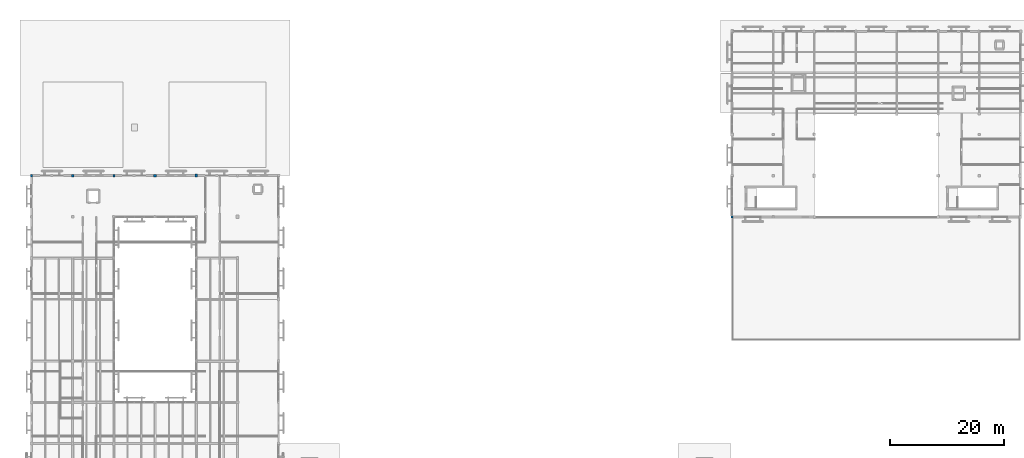
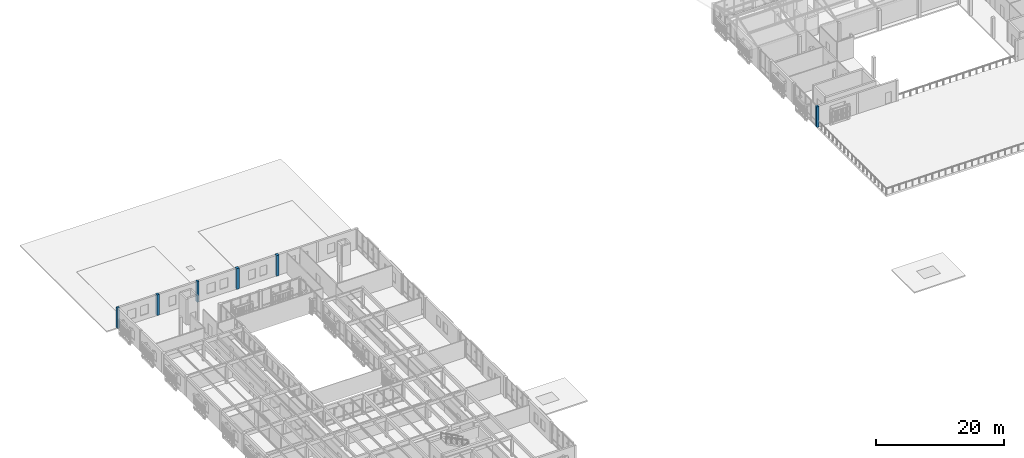
# One storey, part 2 of 61: 6 columns.
"""IFC4 building model written with IfcOpenShell, lengths in metres."""

from ifc_helpers import new_model, si_unit, direction, frame, origin, origin_2d, place, context, subcontext, project, spatial, rectangle, extrude, material, material_profile, profile_set, type_object, element, save


model = new_model("IFC4")

# Units and contexts
model_context = context("Model", 3, precision=1e-05, world=origin(), true_north=direction((0.0, 1.0)))
body_context = subcontext(model_context, "Body", "Model", "MODEL_VIEW")
ifc_project = project(units=[si_unit("LENGTHUNIT", "METRE"), si_unit("AREAUNIT", "SQUARE_METRE"), si_unit("VOLUMEUNIT", "CUBIC_METRE"), si_unit("PLANEANGLEUNIT", "RADIAN"), si_unit("MASSUNIT", "GRAM", prefix="KILO")], contexts=[model_context])

# Site, building, storey
site_placement = place(None, origin())
site = spatial("IfcSite", under=ifc_project, at=site_placement, CompositionType="ELEMENT")
building_placement = place(site_placement, origin())
building = spatial("IfcBuilding", under=site, at=building_placement, Name="Mazaris Harbour Polytechnic", CompositionType="ELEMENT")
storey_placement = place(building_placement, frame((0.0, 0.0, 18.0)))
storey = spatial("IfcBuildingStorey", under=building, at=storey_placement, Name="L04", CompositionType="ELEMENT", Elevation=18.0)

# Columns
ifc_material_1 = material(Name="Glulam GL28h", Category="wood")
ifc_material_profile_1 = material_profile(ifc_material_1, rectangle(XDim=0.360107421875, YDim=0.47998046875, at=origin_2d()), Name="RECT360x480")
ifc_profile_set_1 = profile_set([ifc_material_profile_1], Name="Glulam GL28h")
column_type_1 = type_object("IfcColumnType", Name="Glulam Column 360x480 Exterior", PredefinedType="COLUMN", material=ifc_profile_set_1)
column_1_placement = place(storey_placement, frame((14.39990234375, 75.60009765625, 0.0), z_axis=(0.0, 0.0, 1.0), x_axis=(1.0, 0.0, 0.0)))
element("IfcColumn", 1, at=column_1_placement, inside=storey, type_object=column_type_1, Name="V4 L04 Column 1021", PredefinedType="COLUMN", context=body_context, shape_type="SweptSolid", body=[
    extrude(rectangle(XDim=0.360107421875, YDim=0.47998046875, at=origin_2d()), origin(), (0.0, 0.0, 1.0), 3.9599609375),
])
ifc_material_2 = material(Name="Glulam GL28h", Category="wood")
ifc_material_profile_2 = material_profile(ifc_material_2, rectangle(XDim=0.3798828125, YDim=0.3798828125, at=origin_2d()), Name="RECT380x380")
ifc_profile_set_2 = profile_set([ifc_material_profile_2], Name="Glulam GL28h")
column_type_2 = type_object("IfcColumnType", Name="Glulam Column 380x380 Exterior", PredefinedType="COLUMN", material=ifc_profile_set_2)
column_2_placement = place(storey_placement, frame((0.0, 75.60009765625, 0.0), z_axis=(0.0, 0.0, 1.0), x_axis=(1.0, 0.0, 0.0)))
element("IfcColumn", 2, at=column_2_placement, inside=storey, type_object=column_type_2, Name="V4 L04 Column 1001", PredefinedType="COLUMN", context=body_context, shape_type="SweptSolid", body=[
    extrude(rectangle(XDim=0.3798828125, YDim=0.3798828125, at=origin_2d()), origin(), (0.0, 0.0, 1.0), 3.9599609375),
])
ifc_material_3 = material(Name="Glulam GL28h", Category="wood")
ifc_material_profile_3 = material_profile(ifc_material_3, rectangle(XDim=0.39990234375, YDim=0.5400390625, at=origin_2d()), Name="RECT400x540")
ifc_profile_set_3 = profile_set([ifc_material_profile_3], Name="Glulam GL28h")
column_type_3 = type_object("IfcColumnType", Name="Glulam Column 400x540 Exterior", PredefinedType="COLUMN", material=ifc_profile_set_3)
column_3_placement = place(storey_placement, frame((28.800048828125, 75.60009765625, 0.0), z_axis=(0.0, 0.0, 1.0), x_axis=(1.0, 0.0, 0.0)))
element("IfcColumn", 3, at=column_3_placement, inside=storey, type_object=column_type_3, Name="V4 L04 Column 1038", PredefinedType="COLUMN", context=body_context, shape_type="SweptSolid", body=[
    extrude(rectangle(XDim=0.39990234375, YDim=0.5400390625, at=origin_2d()), origin(), (0.0, 0.0, 1.0), 3.9599609375),
])
ifc_material_4 = material(Name="Glulam GL28h", Category="wood")
ifc_material_profile_4 = material_profile(ifc_material_4, rectangle(XDim=0.419921875, YDim=0.419921875, at=origin_2d()), Name="RECT420x420")
ifc_profile_set_4 = profile_set([ifc_material_profile_4], Name="Glulam GL28h")
column_type_4 = type_object("IfcColumnType", Name="Glulam Column 420x420 Exterior", PredefinedType="COLUMN", material=ifc_profile_set_4)
column_4_placement = place(storey_placement, frame((122.39990234375, 68.39990234375, 0.0), z_axis=(0.0, 0.0, 1.0), x_axis=(1.0, 0.0, 0.0)))
element("IfcColumn", 4, at=column_4_placement, inside=storey, type_object=column_type_4, Name="V5 L04 Column 1466", PredefinedType="COLUMN", context=body_context, shape_type="SweptSolid", body=[
    extrude(rectangle(XDim=0.419921875, YDim=0.419921875, at=origin_2d()), origin(), (0.0, 0.0, 1.0), 3.9599609375),
])
ifc_material_5 = material(Name="Glulam GL28h", Category="wood")
ifc_material_profile_5 = material_profile(ifc_material_5, rectangle(XDim=0.4599609375, YDim=0.4599609375, at=origin_2d()), Name="RECT460x460")
ifc_profile_set_5 = profile_set([ifc_material_profile_5], Name="Glulam GL28h")
column_type_5 = type_object("IfcColumnType", Name="Glulam Column 460x460 Exterior", PredefinedType="COLUMN", material=ifc_profile_set_5)
column_5_placement = place(storey_placement, frame((7.199951171875, 75.60009765625, 0.0), z_axis=(0.0, 0.0, 1.0), x_axis=(1.0, 0.0, 0.0)))
element("IfcColumn", 5, at=column_5_placement, inside=storey, type_object=column_type_5, Name="V4 L04 Column 1011", PredefinedType="COLUMN", context=body_context, shape_type="SweptSolid", body=[
    extrude(rectangle(XDim=0.4599609375, YDim=0.4599609375, at=origin_2d()), origin(), (0.0, 0.0, 1.0), 3.9599609375),
])
ifc_material_6 = material(Name="Glulam GL28h", Category="wood")
ifc_material_profile_6 = material_profile(ifc_material_6, rectangle(XDim=0.5, YDim=0.5, at=origin_2d()), Name="RECT500x500")
ifc_profile_set_6 = profile_set([ifc_material_profile_6], Name="Glulam GL28h")
column_type_6 = type_object("IfcColumnType", Name="Glulam Column 500x500 Exterior", PredefinedType="COLUMN", material=ifc_profile_set_6)
column_6_placement = place(storey_placement, frame((21.60009765625, 75.60009765625, 0.0), z_axis=(0.0, 0.0, 1.0), x_axis=(1.0, 0.0, 0.0)))
element("IfcColumn", 6, at=column_6_placement, inside=storey, type_object=column_type_6, Name="V4 L04 Column 1028", PredefinedType="COLUMN", context=body_context, shape_type="SweptSolid", body=[
    extrude(rectangle(XDim=0.5, YDim=0.5, at=origin_2d()), origin(), (0.0, 0.0, 1.0), 3.9599609375),
])

save(model, "model.ifc")
